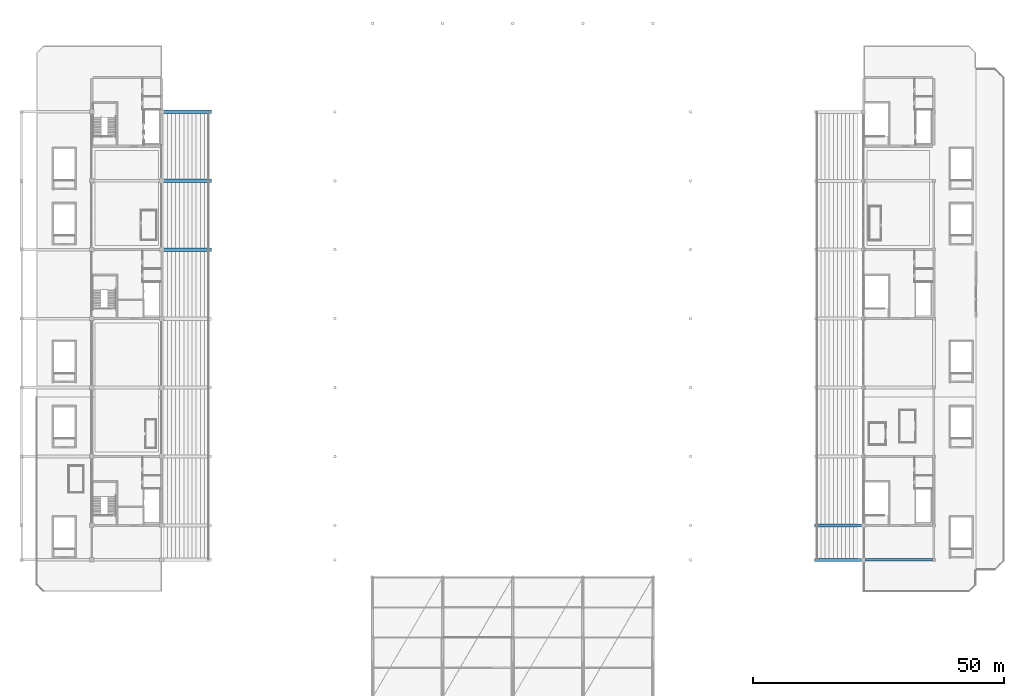
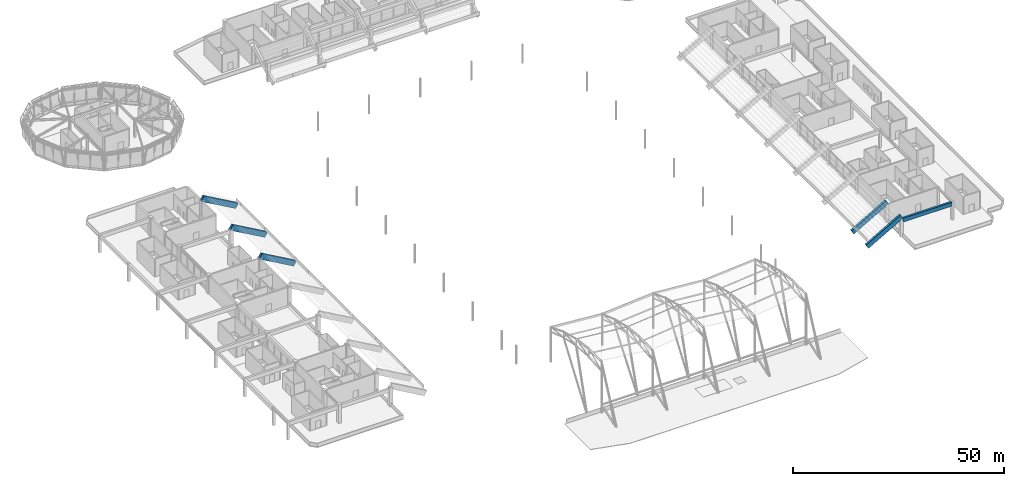
# One storey, part 33 of 90: 6 beams.
"""IFC4 building model written with IfcOpenShell, lengths in metres."""

from ifc_helpers import new_model, si_unit, direction, frame, origin, origin_2d, place, context, subcontext, project, spatial, rectangle, extrude, material, material_profile, profile_set, type_object, element, save


model = new_model("IFC4")

# Units and contexts
model_context = context("Model", 3, precision=1e-05, world=origin(), true_north=direction((0.0, 1.0)))
body_context = subcontext(model_context, "Body", "Model", "MODEL_VIEW")
ifc_project = project(units=[si_unit("LENGTHUNIT", "METRE"), si_unit("AREAUNIT", "SQUARE_METRE"), si_unit("VOLUMEUNIT", "CUBIC_METRE"), si_unit("PLANEANGLEUNIT", "RADIAN"), si_unit("MASSUNIT", "GRAM", prefix="KILO")], contexts=[model_context])

# Site, building, storey
site_placement = place(None, origin())
site = spatial("IfcSite", under=ifc_project, at=site_placement, CompositionType="ELEMENT")
building_placement = place(site_placement, origin())
building = spatial("IfcBuilding", under=site, at=building_placement, Name="Linyun Crest Stadium", CompositionType="ELEMENT")
storey_placement = place(building_placement, frame((0.0, 0.0, 21.0)))
storey = spatial("IfcBuildingStorey", under=building, at=storey_placement, Name="L05", CompositionType="ELEMENT", Elevation=21.0)

# Beams
ifc_material_1 = material(Name="Precast concrete C50", Category="concrete")
ifc_material_profile_1 = material_profile(ifc_material_1, rectangle(XDim=0.60009765625, YDim=1.35009765625, at=origin_2d()), Name="PCR 1350x600")
ifc_profile_set_1 = profile_set([ifc_material_profile_1], Name="Precast concrete C50")
beam_type_1 = type_object("IfcBeamType", Name="RB03", PredefinedType="USERDEFINED", material=ifc_profile_set_1)
for number, where, z_axis, x_axis, name in (
    (1, (60.5, -46.0, 0.39990234375), (0.869361451527, 0.0, 0.494176756433), (0.0, 1.0, 0.0), "Precast raker beam RB03 V2 8"),
    (2, (60.5, -39.125, 0.39990234375), (0.869361451527, 0.0, 0.494176756433), (0.0, 1.0, 0.0), "Precast raker beam RB03 V2 16"),
):
    element("IfcBeam", number, at=place(storey_placement, frame(where, z_axis=z_axis, x_axis=x_axis)), inside=storey, type_object=beam_type_1, Name=name, ObjectType="RAKER", PredefinedType="USERDEFINED", context=body_context, shape_type="SweptSolid", body=[
        extrude(rectangle(XDim=0.60009765625, YDim=1.35009765625, at=origin_2d()), origin(), (0.0, 0.0, 1.0), 10.927490234375),
    ])
ifc_material_2 = material(Name="Precast concrete C50", Category="concrete")
ifc_material_profile_2 = material_profile(ifc_material_2, rectangle(XDim=0.64990234375, YDim=1.5, at=origin_2d()), Name="PCR 1500x650")
ifc_profile_set_2 = profile_set([ifc_material_profile_2], Name="Precast concrete C50")
beam_type_2 = type_object("IfcBeamType", Name="RB04", PredefinedType="USERDEFINED", material=ifc_profile_set_2)
for number, where, z_axis, x_axis, name in (
    (3, (-60.5, 15.875, 0.39990234375), (-0.869361451527, 0.0, 0.494176756433), (0.0, -1.0, 0.0), "Precast raker beam RB04 V1 44"),
    (4, (-60.5, 29.625, 0.39990234375), (-0.869361451527, 0.0, 0.494176756433), (0.0, -1.0, 0.0), "Precast raker beam RB04 V1 52"),
    (5, (-60.5, 43.375, 0.39990234375), (-0.869361451527, 0.0, 0.494176756433), (0.0, -1.0, 0.0), "Precast raker beam RB04 V1 60"),
):
    element("IfcBeam", number, at=place(storey_placement, frame(where, z_axis=z_axis, x_axis=x_axis)), inside=storey, type_object=beam_type_2, Name=name, ObjectType="RAKER", PredefinedType="USERDEFINED", context=body_context, shape_type="SweptSolid", body=[
        extrude(rectangle(XDim=0.64990234375, YDim=1.5, at=origin_2d()), origin(), (0.0, 0.0, 1.0), 10.927490234375),
    ])
ifc_material_3 = material(Name="Concrete C50", Category="concrete")
ifc_material_profile_3 = material_profile(ifc_material_3, rectangle(XDim=0.550048828125, YDim=1.10009765625, at=origin_2d()), Name="RCB 1100x550")
ifc_profile_set_3 = profile_set([ifc_material_profile_3], Name="Concrete C50")
beam_type_3 = type_object("IfcBeamType", Name="TB01", PredefinedType="USERDEFINED", material=ifc_profile_set_3)
beam_placement = place(storey_placement, frame((70.39990234375, -46.0, 4.635009765625), z_axis=(1.0, 0.0, 0.0), x_axis=(0.0, 1.0, 0.0)))
element("IfcBeam", 6, at=beam_placement, inside=storey, type_object=beam_type_3, Name="Frame beam TB01 L05 728", ObjectType="GIRDER", PredefinedType="USERDEFINED", context=body_context, shape_type="SweptSolid", body=[
    extrude(rectangle(XDim=0.550048828125, YDim=1.10009765625, at=origin_2d()), origin(), (0.0, 0.0, 1.0), 13.300048828125),
])

save(model, "model.ifc")
